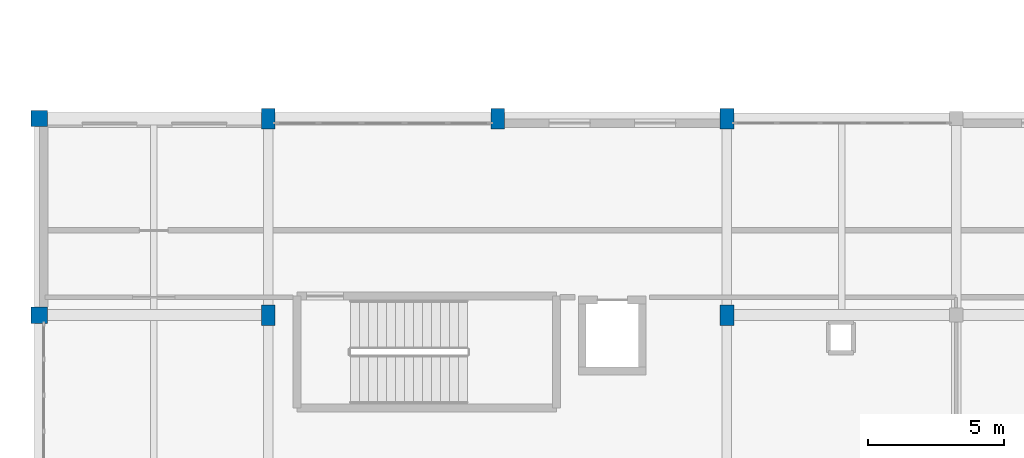
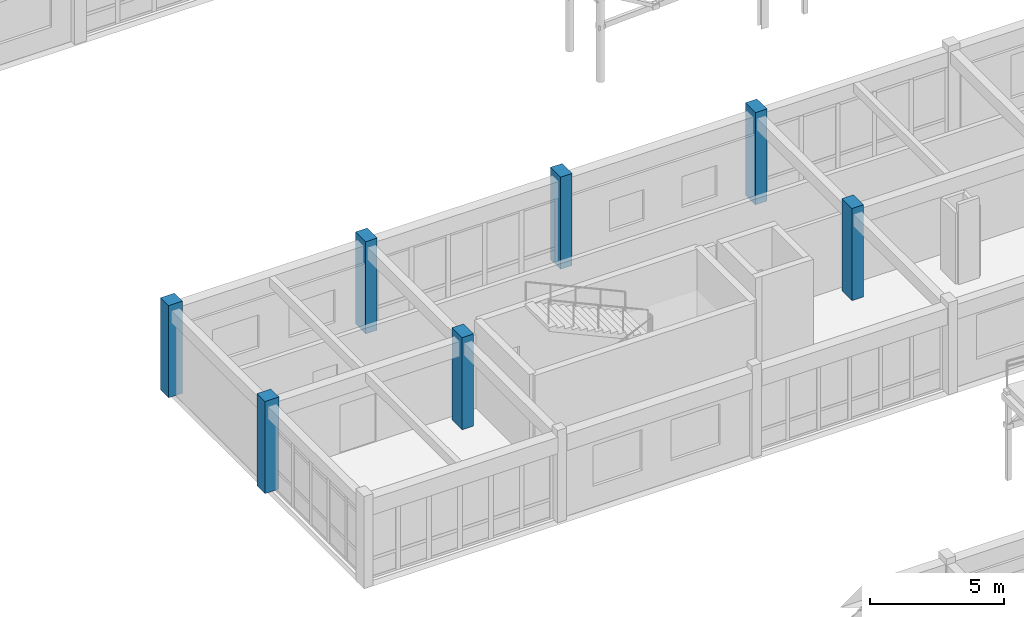
# One storey, part 3 of 89: 7 columns.
"""IFC4 building model written with IfcOpenShell, lengths in metres."""

from ifc_helpers import new_model, si_unit, direction, frame, origin, origin_2d, place, context, subcontext, project, spatial, rectangle, extrude, material, material_profile, profile_set, type_object, element, save


model = new_model("IFC4")

# Units and contexts
model_context = context("Model", 3, precision=1e-05, world=origin(), true_north=direction((0.0, 1.0)))
body_context = subcontext(model_context, "Body", "Model", "MODEL_VIEW")
ifc_project = project(units=[si_unit("LENGTHUNIT", "METRE"), si_unit("AREAUNIT", "SQUARE_METRE"), si_unit("VOLUMEUNIT", "CUBIC_METRE"), si_unit("PLANEANGLEUNIT", "RADIAN"), si_unit("MASSUNIT", "GRAM", prefix="KILO")], contexts=[model_context])

# Site, building, storey
site_placement = place(None, origin())
site = spatial("IfcSite", under=ifc_project, at=site_placement, CompositionType="ELEMENT")
building_placement = place(site_placement, origin())
building = spatial("IfcBuilding", under=site, at=building_placement, Name="Malvenik Polytechnic", CompositionType="ELEMENT")
storey_placement = place(building_placement, frame((0.0, 0.0, 13.5)))
storey = spatial("IfcBuildingStorey", under=building, at=storey_placement, Name="L03", CompositionType="ELEMENT", Elevation=13.5)

# Columns
ifc_material = material(Name="Concrete C35/45", Category="concrete")
ifc_material_profile_1 = material_profile(ifc_material, rectangle(XDim=0.60009765625, YDim=0.60009765625, at=origin_2d()), Name="RC COL 600x600")
ifc_profile_set_1 = profile_set([ifc_material_profile_1], Name="Concrete C35/45")
column_type_1 = type_object("IfcColumnType", Name="STR-COL-C-06", PredefinedType="COLUMN", material=ifc_profile_set_1)
for number, where, z_axis, x_axis, name in (
    (1, (0.0, 86.39990234375, 0.0), (0.0, 0.0, 1.0), (1.0, 0.0, 0.0), "Column C-06 L03 (0.0,86.4)"),
    (2, (0.0, 93.60009765625, 0.0), (0.0, 0.0, 1.0), (1.0, 0.0, 0.0), "Column C-06 L03 (0.0,93.6)"),
):
    element("IfcColumn", number, at=place(storey_placement, frame(where, z_axis=z_axis, x_axis=x_axis)), inside=storey, type_object=column_type_1, Name=name, PredefinedType="COLUMN", context=body_context, shape_type="SweptSolid", body=[
        extrude(rectangle(XDim=0.60009765625, YDim=0.60009765625, at=origin_2d()), origin(), (0.0, 0.0, 1.0), 4.199951171875),
    ])
ifc_material_profile_2 = material_profile(ifc_material, rectangle(XDim=0.5, YDim=0.75, at=origin_2d()), Name="RC COL 750x500")
ifc_profile_set_2 = profile_set([ifc_material_profile_2], Name="Concrete C35/45")
column_type_2 = type_object("IfcColumnType", Name="STR-COL-C-14", PredefinedType="COLUMN", material=ifc_profile_set_2)
for number, where, z_axis, x_axis, name in (
    (3, (8.39990234375, 86.39990234375, 0.0), (0.0, 0.0, 1.0), (1.0, 0.0, 0.0), "Column C-14 L03 (8.4,86.4)"),
    (4, (8.39990234375, 93.60009765625, 0.0), (0.0, 0.0, 1.0), (1.0, 0.0, 0.0), "Column C-14 L03 (8.4,93.6)"),
    (5, (16.800048828125, 93.60009765625, 0.0), (0.0, 0.0, 1.0), (1.0, 0.0, 0.0), "Column C-14 L03 (16.8,93.6)"),
    (6, (25.199951171875, 86.39990234375, 0.0), (0.0, 0.0, 1.0), (1.0, 0.0, 0.0), "Column C-14 L03 (25.2,86.4)"),
    (7, (25.199951171875, 93.60009765625, 0.0), (0.0, 0.0, 1.0), (1.0, 0.0, 0.0), "Column C-14 L03 (25.2,93.6)"),
):
    element("IfcColumn", number, at=place(storey_placement, frame(where, z_axis=z_axis, x_axis=x_axis)), inside=storey, type_object=column_type_2, Name=name, PredefinedType="COLUMN", context=body_context, shape_type="SweptSolid", body=[
        extrude(rectangle(XDim=0.5, YDim=0.75, at=origin_2d()), origin(), (0.0, 0.0, 1.0), 4.199951171875),
    ])

save(model, "model.ifc")
